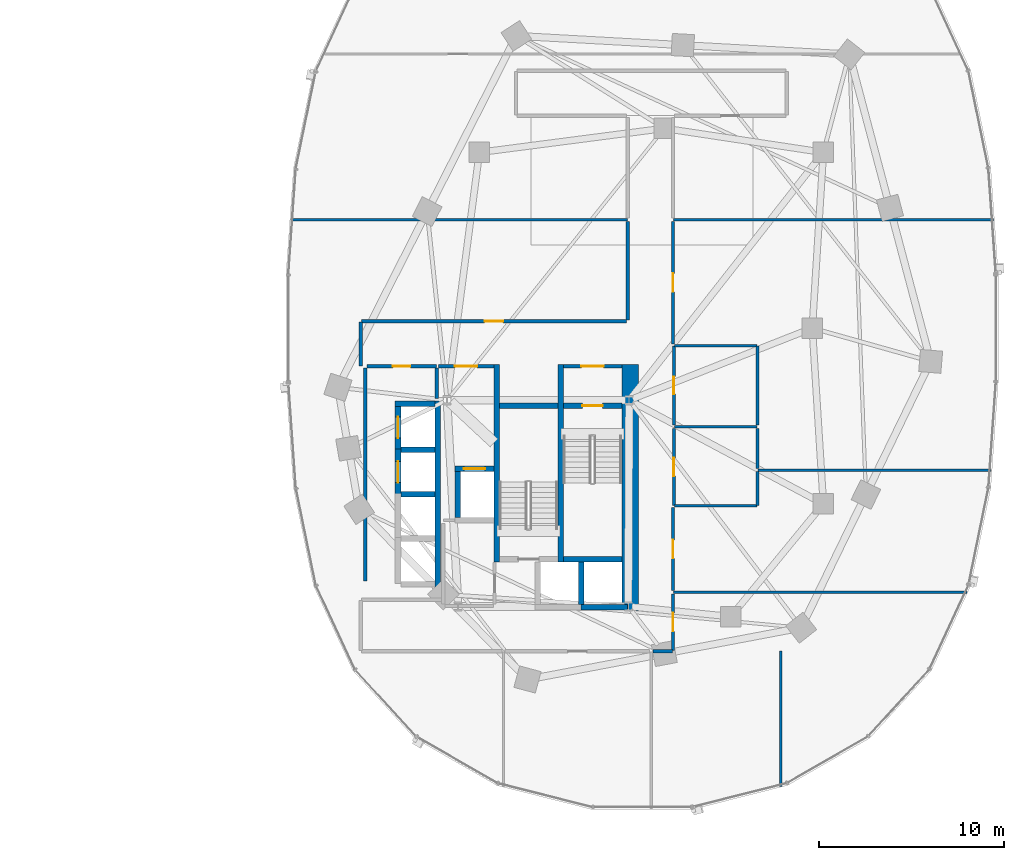
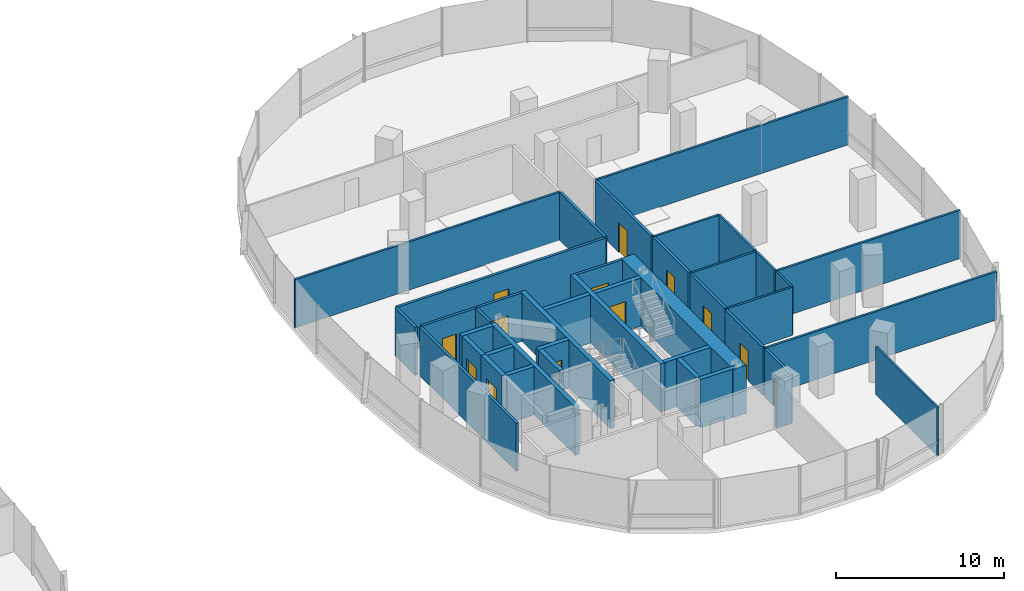
# One storey, part 13 of 21: 41 walls, 13 doors, 13 openings.
"""IFC4 building model written with IfcOpenShell, lengths in metres."""

from ifc_helpers import new_model, si_unit, direction, frame, frame_2d, origin, place, context, subcontext, project, spatial, rectangle, extrude, material, layer, layer_set, type_object, element, fill, save


model = new_model("IFC4")

# Units and contexts
model_context = context("Model", 3, precision=1e-05, world=origin(), true_north=direction((0.0, 1.0)))
body_context = subcontext(model_context, "Body", "Model", "MODEL_VIEW")
ifc_project = project(units=[si_unit("LENGTHUNIT", "METRE"), si_unit("AREAUNIT", "SQUARE_METRE"), si_unit("VOLUMEUNIT", "CUBIC_METRE"), si_unit("PLANEANGLEUNIT", "RADIAN"), si_unit("MASSUNIT", "GRAM", prefix="KILO"), si_unit("THERMODYNAMICTEMPERATUREUNIT", "KELVIN"), si_unit("POWERUNIT", "WATT")], contexts=[model_context])

# Site, building, storey
site_placement = place(None, origin())
site = spatial("IfcSite", under=ifc_project, at=site_placement, CompositionType="ELEMENT")
building_placement = place(site_placement, origin())
building = spatial("IfcBuilding", under=site, at=building_placement, Name="Cundina Bronze Exchange", CompositionType="ELEMENT")
storey_placement = place(building_placement, frame((0.0, 0.0, 58.199951171875)))
storey = spatial("IfcBuildingStorey", under=building, at=storey_placement, Name="L14", CompositionType="ELEMENT", Elevation=58.199951171875)

# Wall
ifc_material_1 = material(Name="Gypsum Fireboard Partition EI120")
ifc_layer_1 = layer(ifc_material_1, 0.179931640625, Name="Gypsum Fireboard Partition EI120")
ifc_layer_set_1 = layer_set([ifc_layer_1], Name="Gypsum Fireboard Partition EI120")
wall_type_1 = type_object("IfcWallType", Name="WL-COR-180", PredefinedType="PARTITIONING", material=ifc_layer_set_1)
wall_1_placement = place(storey_placement, frame((20.889892578125, -3.800048828125, 0.0), z_axis=(0.0, 0.0, 1.0), x_axis=(0.0, 1.0, 0.0)))
element("IfcWall", 1, at=wall_1_placement, inside=storey, type_object=wall_type_1, Name="L14 E Firefighting Lobby Side Wall", PredefinedType="PARTITIONING", context=body_context, shape_type="SweptSolid", body=[
    extrude(rectangle(XDim=1.650146484375, YDim=0.179931640625, at=frame_2d((0.8251953125, 0.0))), origin(), (0.0, 0.0, 1.0), 3.5),
])

# Wall, opening, door
wall_2_placement = place(storey_placement, frame((20.97998046875, -2.06005859375, 0.0), z_axis=(0.0, 0.0, 1.0), x_axis=(1.0, 0.0, 0.0)))
wall_2 = element("IfcWall", 2, at=wall_2_placement, inside=storey, type_object=wall_type_1, Name="L14 E Firefighting Lobby Exit Wall", PredefinedType="PARTITIONING", context=body_context, shape_type="SweptSolid", body=[
    extrude(rectangle(XDim=3.0, YDim=0.179931640625, at=frame_2d((1.5, 0.0))), origin(), (0.0, 0.0, 1.0), 3.5),
])
opening_1_placement = place(wall_2_placement, frame((0.89990234375, 0.0, 0.0)))
opening_1 = element("IfcOpeningElement", 3, at=opening_1_placement, cuts=wall_2, Name="Opening DF-01", PredefinedType="OPENING", context=body_context, shape_type="SweptSolid", body=[
    extrude(rectangle(XDim=1.199951171875, YDim=2.14990234375, at=frame_2d((0.60009765625, 1.074951171875))), frame((0.0, 0.099853515625, 0.0), z_axis=(0.0, -1.0, 0.0), x_axis=(1.0, 0.0, 0.0)), (0.0, 0.0, 1.0), 0.199951171875),
])
ifc_material_2 = material(Name="Steel ASTM A36 Painted", Category="steel")
door_type_1 = type_object("IfcDoorType", Name="DR-FFL-1200", OperationType="NOTDEFINED", PredefinedType="DOOR", material=ifc_material_2)
door_1_placement = place(opening_1_placement, origin())
door_1 = element("IfcDoor", 4, at=door_1_placement, inside=storey, type_object=door_type_1, Name="L14 E Firefighting Lobby Door", OperationType="SINGLE_SWING_LEFT", OverallHeight=2.14990234375, OverallWidth=1.199951171875, PredefinedType="DOOR", context=body_context, shape_type="SweptSolid", body=[
    extrude(rectangle(XDim=1.199951171875, YDim=2.14990234375, at=frame_2d((0.60009765625, 1.074951171875))), frame((0.0, 0.02490234375, 0.0), z_axis=(0.0, -1.0, 0.0), x_axis=(1.0, 0.0, 0.0)), (0.0, 0.0, 1.0), 0.050048828125),
])
fill(opening_1, door_1)

wall_3_placement = place(storey_placement, frame((27.739990234375, -2.06005859375, 0.0), z_axis=(0.0, 0.0, 1.0), x_axis=(1.0, 0.0, 0.0)))
wall_3 = element("IfcWall", 5, at=wall_3_placement, inside=storey, type_object=wall_type_1, Name="L14 E Stair Vestibule Exit Wall", PredefinedType="PARTITIONING", context=body_context, shape_type="SweptSolid", body=[
    extrude(rectangle(XDim=3.159912109375, YDim=0.179931640625, at=frame_2d((1.580078125, 0.0))), origin(), (0.0, 0.0, 1.0), 3.5),
])
opening_2_placement = place(wall_3_placement, frame((0.97998046875, 0.0, 0.0)))
opening_2 = element("IfcOpeningElement", 6, at=opening_2_placement, cuts=wall_3, Name="Opening DF-01", PredefinedType="OPENING", context=body_context, shape_type="SweptSolid", body=[
    extrude(rectangle(XDim=1.199951171875, YDim=2.14990234375, at=frame_2d((0.60009765625, 1.074951171875))), frame((0.0, 0.099853515625, 0.0), z_axis=(0.0, -1.0, 0.0), x_axis=(1.0, 0.0, 0.0)), (0.0, 0.0, 1.0), 0.199951171875),
])
door_2_placement = place(opening_2_placement, origin())
door_2 = element("IfcDoor", 7, at=door_2_placement, inside=storey, type_object=door_type_1, Name="L14 E Stair Vestibule Door", OperationType="SINGLE_SWING_RIGHT", OverallHeight=2.14990234375, OverallWidth=1.199951171875, PredefinedType="DOOR", context=body_context, shape_type="SweptSolid", body=[
    extrude(rectangle(XDim=1.199951171875, YDim=2.14990234375, at=frame_2d((0.60009765625, 1.074951171875))), frame((0.0, 0.02490234375, 0.0), z_axis=(0.0, -1.0, 0.0), x_axis=(1.0, 0.0, 0.0)), (0.0, 0.0, 1.0), 0.050048828125),
])
fill(opening_2, door_2)

# Wall
wall_4_placement = place(storey_placement, frame((17.02001953125, -13.679931640625, 0.0), z_axis=(0.0, 0.0, 1.0), x_axis=(0.0, 1.0, 0.0)))
element("IfcWall", 8, at=wall_4_placement, inside=storey, type_object=wall_type_1, Name="L14 Interior Partition 039", PredefinedType="PARTITIONING", context=body_context, shape_type="SweptSolid", body=[
    extrude(rectangle(XDim=11.510009765625, YDim=0.179931640625, at=frame_2d((5.7548828125, 0.0))), origin(), (0.0, 0.0, 1.0), 3.5),
])

# Wall, opening, door
wall_5_placement = place(storey_placement, frame((17.1201171875, -2.070068359375, 0.0), z_axis=(0.0, 0.0, 1.0), x_axis=(1.0, 0.0, 0.0)))
wall_5 = element("IfcWall", 9, at=wall_5_placement, inside=storey, type_object=wall_type_1, Name="L14 Interior Partition 040", PredefinedType="PARTITIONING", context=body_context, shape_type="SweptSolid", body=[
    extrude(rectangle(XDim=3.75, YDim=0.179931640625, at=frame_2d((1.875, 0.0))), origin(), (0.0, 0.0, 1.0), 3.5),
])
opening_3_placement = place(wall_5_placement, frame((1.39990234375, 0.0, 0.0)))
opening_3 = element("IfcOpeningElement", 10, at=opening_3_placement, cuts=wall_5, Name="Opening DW-01", PredefinedType="OPENING", context=body_context, shape_type="SweptSolid", body=[
    extrude(rectangle(XDim=0.949951171875, YDim=2.10009765625, at=frame_2d((0.47509765625, 1.050048828125))), frame((0.0, 0.099853515625, 0.0), z_axis=(0.0, -1.0, 0.0), x_axis=(1.0, 0.0, 0.0)), (0.0, 0.0, 1.0), 0.199951171875),
])
ifc_material_3 = material(Name="Solid Andean Oak Timber Grade A", Category="wood")
door_type_2 = type_object("IfcDoorType", Name="DR-WC-950", OperationType="NOTDEFINED", PredefinedType="DOOR", material=ifc_material_3)
door_3_placement = place(opening_3_placement, origin())
door_3 = element("IfcDoor", 11, at=door_3_placement, inside=storey, type_object=door_type_2, Name="L14 Interior Door 040", OperationType="SINGLE_SWING_LEFT", OverallHeight=2.10009765625, OverallWidth=0.949951171875, PredefinedType="DOOR", context=body_context, shape_type="SweptSolid", body=[
    extrude(rectangle(XDim=0.949951171875, YDim=2.10009765625, at=frame_2d((0.47509765625, 1.050048828125))), frame((0.0, 0.02490234375, 0.0), z_axis=(0.0, -1.0, 0.0), x_axis=(1.0, 0.0, 0.0)), (0.0, 0.0, 1.0), 0.050048828125),
])
fill(opening_3, door_3)

wall_6_placement = place(storey_placement, frame((33.719970703125, -5.22998046875, 0.0), z_axis=(0.0, 0.0, 1.0), x_axis=(0.0, 1.0, 0.0)))
wall_6 = element("IfcWall", 12, at=wall_6_placement, inside=storey, type_object=wall_type_1, Name="L14 Interior Partition 051", PredefinedType="PARTITIONING", context=body_context, shape_type="SweptSolid", body=[
    extrude(rectangle(XDim=4.260009765625, YDim=0.179931640625, at=frame_2d((2.1298828125, 0.0))), origin(), (0.0, 0.0, 1.0), 3.5),
])
opening_4_placement = place(wall_6_placement, frame((1.655029296875, 0.0, 0.0)))
opening_4 = element("IfcOpeningElement", 13, at=opening_4_placement, cuts=wall_6, Name="Opening DW-01", PredefinedType="OPENING", context=body_context, shape_type="SweptSolid", body=[
    extrude(rectangle(XDim=0.949951171875, YDim=2.10009765625, at=frame_2d((0.47509765625, 1.050048828125))), frame((0.0, 0.099853515625, 0.0), z_axis=(0.0, -1.0, 0.0), x_axis=(1.0, 0.0, 0.0)), (0.0, 0.0, 1.0), 0.199951171875),
])
door_4_placement = place(opening_4_placement, origin())
door_4 = element("IfcDoor", 14, at=door_4_placement, inside=storey, type_object=door_type_2, Name="L14 Interior Door 051", OperationType="SINGLE_SWING_LEFT", OverallHeight=2.10009765625, OverallWidth=0.949951171875, PredefinedType="DOOR", context=body_context, shape_type="SweptSolid", body=[
    extrude(rectangle(XDim=0.949951171875, YDim=2.10009765625, at=frame_2d((0.47509765625, 1.050048828125))), frame((0.0, 0.02490234375, 0.0), z_axis=(0.0, -1.0, 0.0), x_axis=(1.0, 0.0, 0.0)), (0.0, 0.0, 1.0), 0.050048828125),
])
fill(opening_4, door_4)

wall_7_placement = place(storey_placement, frame((33.719970703125, -9.590087890625, 0.0), z_axis=(0.0, 0.0, 1.0), x_axis=(0.0, 1.0, 0.0)))
wall_7 = element("IfcWall", 15, at=wall_7_placement, inside=storey, type_object=wall_type_1, Name="L14 Interior Partition 052", PredefinedType="PARTITIONING", context=body_context, shape_type="SweptSolid", body=[
    extrude(rectangle(XDim=4.16015625, YDim=0.179931640625, at=frame_2d((2.080078125, 0.0))), origin(), (0.0, 0.0, 1.0), 3.5),
])
opening_5_placement = place(wall_7_placement, frame((1.580078125, 0.0, 0.0)))
opening_5 = element("IfcOpeningElement", 16, at=opening_5_placement, cuts=wall_7, Name="Opening DO-01", PredefinedType="OPENING", context=body_context, shape_type="SweptSolid", body=[
    extrude(rectangle(XDim=1.0, YDim=2.14990234375, at=frame_2d((0.5, 1.074951171875))), frame((0.0, 0.099853515625, 0.0), z_axis=(0.0, -1.0, 0.0), x_axis=(1.0, 0.0, 0.0)), (0.0, 0.0, 1.0), 0.199951171875),
])
door_type_3 = type_object("IfcDoorType", Name="DR-OFF-1000", OperationType="NOTDEFINED", PredefinedType="DOOR", material=ifc_material_3)
door_5_placement = place(opening_5_placement, origin())
door_5 = element("IfcDoor", 17, at=door_5_placement, inside=storey, type_object=door_type_3, Name="L14 Interior Door 052", OperationType="SINGLE_SWING_LEFT", OverallHeight=2.14990234375, OverallWidth=1.0, PredefinedType="DOOR", context=body_context, shape_type="SweptSolid", body=[
    extrude(rectangle(XDim=1.0, YDim=2.14990234375, at=frame_2d((0.5, 1.074951171875))), frame((0.0, 0.02490234375, 0.0), z_axis=(0.0, -1.0, 0.0), x_axis=(1.0, 0.0, 0.0)), (0.0, 0.0, 1.0), 0.050048828125),
])
fill(opening_5, door_5)

wall_8_placement = place(storey_placement, frame((33.669921875, -17.428466796875, 0.0), z_axis=(0.0, 0.0, 1.0), x_axis=(0.0, 1.0, 0.0)))
wall_8 = element("IfcWall", 18, at=wall_8_placement, inside=storey, type_object=wall_type_1, Name="L14 Interior Partition 061", PredefinedType="PARTITIONING", context=body_context, shape_type="SweptSolid", body=[
    extrude(rectangle(XDim=3.058349609375, YDim=0.179931640625, at=frame_2d((1.529296875, 0.0))), origin(), (0.0, 0.0, 1.0), 3.5),
])
opening_6_placement = place(wall_8_placement, frame((1.029296875, 0.0, 0.0)))
opening_6 = element("IfcOpeningElement", 19, at=opening_6_placement, cuts=wall_8, Name="Opening DO-01", PredefinedType="OPENING", context=body_context, shape_type="SweptSolid", body=[
    extrude(rectangle(XDim=1.0, YDim=2.14990234375, at=frame_2d((0.5, 1.074951171875))), frame((0.0, 0.099853515625, 0.0), z_axis=(0.0, -1.0, 0.0), x_axis=(1.0, 0.0, 0.0)), (0.0, 0.0, 1.0), 0.199951171875),
])
door_6_placement = place(opening_6_placement, origin())
door_6 = element("IfcDoor", 20, at=door_6_placement, inside=storey, type_object=door_type_3, Name="L14 Interior Door 061", OperationType="SINGLE_SWING_RIGHT", OverallHeight=2.14990234375, OverallWidth=1.0, PredefinedType="DOOR", context=body_context, shape_type="SweptSolid", body=[
    extrude(rectangle(XDim=1.0, YDim=2.14990234375, at=frame_2d((0.5, 1.074951171875))), frame((0.0, 0.02490234375, 0.0), z_axis=(0.0, -1.0, 0.0), x_axis=(1.0, 0.0, 0.0)), (0.0, 0.0, 1.0), 0.050048828125),
])
fill(opening_6, door_6)

# Wall
wall_9_placement = place(storey_placement, frame((32.590087890625, -17.469970703125, 0.0), z_axis=(0.0, 0.0, 1.0), x_axis=(1.0, 0.0, 0.0)))
element("IfcWall", 21, at=wall_9_placement, inside=storey, type_object=wall_type_1, Name="L14 Interior Partition 062", PredefinedType="PARTITIONING", context=body_context, shape_type="SweptSolid", body=[
    extrude(rectangle(XDim=1.038330078125, YDim=0.179931640625, at=frame_2d((0.51904296875, 0.0))), origin(), (0.0, 0.0, 1.0), 3.5),
])

# Wall, opening, door
wall_10_placement = place(storey_placement, frame((33.669921875, -14.18994140625, 0.0), z_axis=(0.0, 0.0, 1.0), x_axis=(0.0, 1.0, 0.0)))
wall_10 = element("IfcWall", 22, at=wall_10_placement, inside=storey, type_object=wall_type_1, Name="L14 Interior Partition 063", PredefinedType="PARTITIONING", context=body_context, shape_type="SweptSolid", body=[
    extrude(rectangle(XDim=4.488525390625, YDim=0.179931640625, at=frame_2d((2.244140625, 0.0))), origin(), (0.0, 0.0, 1.0), 3.5),
])
opening_7_placement = place(wall_10_placement, frame((1.744384765625, 0.0, 0.0)))
opening_7 = element("IfcOpeningElement", 23, at=opening_7_placement, cuts=wall_10, Name="Opening DO-01", PredefinedType="OPENING", context=body_context, shape_type="SweptSolid", body=[
    extrude(rectangle(XDim=1.0, YDim=2.14990234375, at=frame_2d((0.5, 1.074951171875))), frame((0.0, 0.099853515625, 0.0), z_axis=(0.0, -1.0, 0.0), x_axis=(1.0, 0.0, 0.0)), (0.0, 0.0, 1.0), 0.199951171875),
])
door_7_placement = place(opening_7_placement, origin())
door_7 = element("IfcDoor", 24, at=door_7_placement, inside=storey, type_object=door_type_3, Name="L14 Interior Door 063", OperationType="SINGLE_SWING_LEFT", OverallHeight=2.14990234375, OverallWidth=1.0, PredefinedType="DOOR", context=body_context, shape_type="SweptSolid", body=[
    extrude(rectangle(XDim=1.0, YDim=2.14990234375, at=frame_2d((0.5, 1.074951171875))), frame((0.0, 0.02490234375, 0.0), z_axis=(0.0, -1.0, 0.0), x_axis=(1.0, 0.0, 0.0)), (0.0, 0.0, 1.0), 0.050048828125),
])
fill(opening_7, door_7)

wall_11_placement = place(storey_placement, frame((31.14990234375, 0.3701171875, 0.0), z_axis=(0.0, 0.0, 1.0), x_axis=(-1.0, 0.0, 0.0)))
wall_11 = element("IfcWall", 25, at=wall_11_placement, inside=storey, type_object=wall_type_1, Name="L14 Interior Partition 064", PredefinedType="PARTITIONING", context=body_context, shape_type="SweptSolid", body=[
    extrude(rectangle(XDim=14.328369140625, YDim=0.179931640625, at=frame_2d((7.1640625, 0.0))), origin(), (0.0, 0.0, 1.0), 3.5),
])
opening_8_placement = place(wall_11_placement, frame((6.664306640625, 0.0, 0.0)))
opening_8 = element("IfcOpeningElement", 26, at=opening_8_placement, cuts=wall_11, Name="Opening DO-01", PredefinedType="OPENING", context=body_context, shape_type="SweptSolid", body=[
    extrude(rectangle(XDim=1.0, YDim=2.14990234375, at=frame_2d((0.5, 1.074951171875))), frame((0.0, 0.099853515625, 0.0), z_axis=(0.0, -1.0, 0.0), x_axis=(1.0, 0.0, 0.0)), (0.0, 0.0, 1.0), 0.199951171875),
])
door_8_placement = place(opening_8_placement, origin())
door_8 = element("IfcDoor", 27, at=door_8_placement, inside=storey, type_object=door_type_3, Name="L14 Interior Door 064", OperationType="SINGLE_SWING_LEFT", OverallHeight=2.14990234375, OverallWidth=1.0, PredefinedType="DOOR", context=body_context, shape_type="SweptSolid", body=[
    extrude(rectangle(XDim=1.0, YDim=2.14990234375, at=frame_2d((0.5, 1.074951171875))), frame((0.0, 0.02490234375, 0.0), z_axis=(0.0, -1.0, 0.0), x_axis=(1.0, 0.0, 0.0)), (0.0, 0.0, 1.0), 0.050048828125),
])
fill(opening_8, door_8)

# Walls
wall_12_placement = place(storey_placement, frame((31.22998046875, 5.77001953125, 0.0), z_axis=(0.0, 0.0, 1.0), x_axis=(0.0, -1.0, 0.0)))
element("IfcWall", 28, at=wall_12_placement, inside=storey, type_object=wall_type_1, Name="L14 Interior Partition 066", PredefinedType="PARTITIONING", context=body_context, shape_type="SweptSolid", body=[
    extrude(rectangle(XDim=5.320068359375, YDim=0.179931640625, at=frame_2d((2.66015625, 0.0))), origin(), (0.0, 0.0, 1.0), 3.5),
])
wall_13_placement = place(storey_placement, frame((16.780029296875, 0.32861328125, 0.0), z_axis=(0.0, 0.0, 1.0), x_axis=(0.0, -1.0, 0.0)))
element("IfcWall", 29, at=wall_13_placement, inside=storey, type_object=wall_type_1, Name="L14 Interior Partition 069", PredefinedType="PARTITIONING", context=body_context, shape_type="SweptSolid", body=[
    extrude(rectangle(XDim=2.38720703125, YDim=0.179931640625, at=frame_2d((1.193603515625, 0.0))), origin(), (0.0, 0.0, 1.0), 3.5),
])

# Wall, opening, door
wall_14_placement = place(storey_placement, frame((33.669921875, -0.858642578125, 0.0), z_axis=(0.0, 0.0, 1.0), x_axis=(0.0, 1.0, 0.0)))
wall_14 = element("IfcWall", 30, at=wall_14_placement, inside=storey, type_object=wall_type_1, Name="L14 Interior Partition 070", PredefinedType="PARTITIONING", context=body_context, shape_type="SweptSolid", body=[
    extrude(rectangle(XDim=6.628662109375, YDim=0.179931640625, at=frame_2d((3.314453125, 0.0))), origin(), (0.0, 0.0, 1.0), 3.5),
])
opening_9_placement = place(wall_14_placement, frame((2.814208984375, 0.0, 0.0)))
opening_9 = element("IfcOpeningElement", 31, at=opening_9_placement, cuts=wall_14, Name="Opening DO-01", PredefinedType="OPENING", context=body_context, shape_type="SweptSolid", body=[
    extrude(rectangle(XDim=1.0, YDim=2.14990234375, at=frame_2d((0.5, 1.074951171875))), frame((0.0, 0.099853515625, 0.0), z_axis=(0.0, -1.0, 0.0), x_axis=(1.0, 0.0, 0.0)), (0.0, 0.0, 1.0), 0.199951171875),
])
door_9_placement = place(opening_9_placement, origin())
door_9 = element("IfcDoor", 32, at=door_9_placement, inside=storey, type_object=door_type_3, Name="L14 Interior Door 070", OperationType="SINGLE_SWING_LEFT", OverallHeight=2.14990234375, OverallWidth=1.0, PredefinedType="DOOR", context=body_context, shape_type="SweptSolid", body=[
    extrude(rectangle(XDim=1.0, YDim=2.14990234375, at=frame_2d((0.5, 1.074951171875))), frame((0.0, 0.02490234375, 0.0), z_axis=(0.0, -1.0, 0.0), x_axis=(1.0, 0.0, 0.0)), (0.0, 0.0, 1.0), 0.050048828125),
])
fill(opening_9, door_9)

# Walls
ifc_material_4 = material(Name="Concrete C60/75", Category="concrete")
ifc_layer_2 = layer(ifc_material_4, 0.89990234375, Name="Concrete C60/75", Category="concrete")
ifc_layer_set_2 = layer_set([ifc_layer_2], Name="Concrete C60/75")
wall_type_2 = type_object("IfcWallType", Name="WL-CORE-900", PredefinedType="SHEAR", material=ifc_layer_set_2)
wall_15_placement = place(storey_placement, frame((31.35009765625, -15.300048828125, 0.0), z_axis=(0.0, 0.0, 1.0), x_axis=(0.0, 1.0, 0.0)))
element("IfcWall", 33, at=wall_15_placement, inside=storey, type_object=wall_type_2, Name="L14 E Primary Core Shear Spine Wall", PredefinedType="SHEAR", context=body_context, shape_type="SweptSolid", body=[
    extrude(rectangle(XDim=13.330078125, YDim=0.89990234375, at=frame_2d((6.6650390625, 0.0))), origin(), (0.0, 0.0, 1.0), 3.5),
])
ifc_material_5 = material(Name="Gypsum Acoustic Partition EI60")
ifc_layer_3 = layer(ifc_material_5, 0.125, Name="Gypsum Acoustic Partition EI60")
ifc_layer_set_3 = layer_set([ifc_layer_3], Name="Gypsum Acoustic Partition EI60")
wall_type_3 = type_object("IfcWallType", Name="WL-OFF-125", PredefinedType="PARTITIONING", material=ifc_layer_set_3)
wall_16_placement = place(storey_placement, frame((39.5, -24.772216796875, 0.0), z_axis=(0.0, 0.0, 1.0), x_axis=(0.0, 1.0, 0.0)))
element("IfcWall", 34, at=wall_16_placement, inside=storey, type_object=wall_type_3, Name="L14 Interior Partition 059", PredefinedType="PARTITIONING", context=body_context, shape_type="SweptSolid", body=[
    extrude(rectangle(XDim=7.30224609375, YDim=0.125, at=frame_2d((3.651123046875, 0.0))), origin(), (0.0, 0.0, 1.0), 3.5),
])
ifc_material_6 = material(Name="Concrete C50/60", Category="concrete")
ifc_layer_4 = layer(ifc_material_6, 0.300048828125, Name="Concrete C50/60", Category="concrete")
ifc_layer_set_4 = layer_set([ifc_layer_4], Name="Concrete C50/60")
wall_type_4 = type_object("IfcWallType", Name="WL-SHFT-300", PredefinedType="SHEAR", material=ifc_layer_set_4)
for number, where, z_axis, x_axis, name in (
    (35, (27.590087890625, -12.64990234375, 0.0), (0.0, 0.0, 1.0), (0.0, 1.0, 0.0), "L14 E Stair Shaft Dividing Shear Wall"),
    (36, (24.1298828125, -12.64990234375, 0.0), (0.0, 0.0, 1.0), (0.0, 1.0, 0.0), "L14 E Stair 2 East Shear Wall"),
):
    element("IfcWall", number, at=place(storey_placement, frame(where, z_axis=z_axis, x_axis=x_axis)), inside=storey, type_object=wall_type_4, Name=name, PredefinedType="SHEAR", context=body_context, shape_type="SweptSolid", body=[
        extrude(rectangle(XDim=10.679931640625, YDim=0.300048828125, at=frame_2d((5.33984375, 0.0))), origin(), (0.0, 0.0, 1.0), 3.5),
    ])

# Wall, opening, door
wall_17_placement = place(storey_placement, frame((27.739990234375, -4.199951171875, 0.0), z_axis=(0.0, 0.0, 1.0), x_axis=(1.0, 0.0, 0.0)))
wall_17 = element("IfcWall", 37, at=wall_17_placement, inside=storey, type_object=wall_type_4, Name="L14 Stair E1 Landing Wall", PredefinedType="SHEAR", context=body_context, shape_type="SweptSolid", body=[
    extrude(rectangle(XDim=3.159912109375, YDim=0.300048828125, at=frame_2d((1.580078125, 0.0))), origin(), (0.0, 0.0, 1.0), 3.5),
])
opening_10_placement = place(wall_17_placement, frame((1.030029296875, 0.0, 0.0)))
opening_10 = element("IfcOpeningElement", 38, at=opening_10_placement, cuts=wall_17, Name="Opening DS-01", PredefinedType="OPENING", context=body_context, shape_type="SweptSolid", body=[
    extrude(rectangle(XDim=1.10009765625, YDim=2.14990234375, at=frame_2d((0.550048828125, 1.074951171875))), frame((0.0, 0.159912109375, 0.0), z_axis=(0.0, -1.0, 0.0), x_axis=(1.0, 0.0, 0.0)), (0.0, 0.0, 1.0), 0.320068359375),
])
door_type_4 = type_object("IfcDoorType", Name="DR-STR-1100", OperationType="NOTDEFINED", PredefinedType="DOOR", material=ifc_material_2)
door_10_placement = place(opening_10_placement, origin())
door_10 = element("IfcDoor", 39, at=door_10_placement, inside=storey, type_object=door_type_4, Name="L14 Smokeproof Stair E1 Door", OperationType="SINGLE_SWING_LEFT", OverallHeight=2.14990234375, OverallWidth=1.10009765625, PredefinedType="DOOR", context=body_context, shape_type="SweptSolid", body=[
    extrude(rectangle(XDim=1.10009765625, YDim=2.14990234375, at=frame_2d((0.550048828125, 1.074951171875))), frame((0.0, 0.02490234375, 0.0), z_axis=(0.0, -1.0, 0.0), x_axis=(1.0, 0.0, 0.0)), (0.0, 0.0, 1.0), 0.050048828125),
])
fill(opening_10, door_10)

# Walls
for number, where, z_axis, x_axis, name in (
    (40, (27.739990234375, -12.5, 0.0), (0.0, 0.0, 1.0), (1.0, 0.0, 0.0), "L14 Stair E1 Far Shaft Wall"),
    (41, (24.280029296875, -4.199951171875, 0.0), (0.0, 0.0, 1.0), (1.0, 0.0, 0.0), "L14 Stair E2 Far Shaft Wall"),
):
    element("IfcWall", number, at=place(storey_placement, frame(where, z_axis=z_axis, x_axis=x_axis)), inside=storey, type_object=wall_type_4, Name=name, PredefinedType="SHEAR", context=body_context, shape_type="SweptSolid", body=[
        extrude(rectangle(XDim=3.159912109375, YDim=0.300048828125, at=frame_2d((1.580078125, 0.0))), origin(), (0.0, 0.0, 1.0), 3.5),
    ])

# Wall, opening, door
wall_18_placement = place(storey_placement, frame((21.8798828125, -7.60009765625, 0.0), z_axis=(0.0, 0.0, 1.0), x_axis=(1.0, 0.0, 0.0)))
wall_18 = element("IfcWall", 42, at=wall_18_placement, inside=storey, type_object=wall_type_4, Name="L14 FFL-E Hoistway Front Wall", PredefinedType="SHEAR", context=body_context, shape_type="SweptSolid", body=[
    extrude(rectangle(XDim=2.10009765625, YDim=0.300048828125, at=frame_2d((1.050048828125, 0.0))), origin(), (0.0, 0.0, 1.0), 3.5),
])
opening_11_placement = place(wall_18_placement, frame((0.47509765625, 0.0, 0.0)))
opening_11 = element("IfcOpeningElement", 43, at=opening_11_placement, cuts=wall_18, Name="Opening LD-01", PredefinedType="OPENING", context=body_context, shape_type="SweptSolid", body=[
    extrude(rectangle(XDim=1.14990234375, YDim=2.199951171875, at=frame_2d((0.574951171875, 1.10009765625))), frame((0.0, 0.159912109375, 0.0), z_axis=(0.0, -1.0, 0.0), x_axis=(1.0, 0.0, 0.0)), (0.0, 0.0, 1.0), 0.320068359375),
])
door_type_5 = type_object("IfcDoorType", Name="DR-LND-1150", OperationType="NOTDEFINED", PredefinedType="TRAPDOOR", material=ifc_material_2)
door_11_placement = place(opening_11_placement, origin())
door_11 = element("IfcDoor", 44, at=door_11_placement, inside=storey, type_object=door_type_5, Name="L14 FFL-E Sliding Landing Door", OperationType="SLIDING_TO_LEFT", OverallHeight=2.199951171875, OverallWidth=1.14990234375, PredefinedType="TRAPDOOR", context=body_context, shape_type="SweptSolid", body=[
    extrude(rectangle(XDim=1.14990234375, YDim=2.199951171875, at=frame_2d((0.574951171875, 1.10009765625))), frame((0.0, 0.02490234375, 0.0), z_axis=(0.0, -1.0, 0.0), x_axis=(1.0, 0.0, 0.0)), (0.0, 0.0, 1.0), 0.050048828125),
])
fill(opening_11, door_11)

# Walls
for number, where, z_axis, x_axis, name in (
    (45, (22.030029296875, -10.25, 0.0), (0.0, 0.0, 1.0), (0.0, 1.0, 0.0), "L14 FFL-E Hoistway Side Wall"),
    (46, (28.699951171875, -15.10009765625, 0.0), (0.0, 0.0, 1.0), (1.0, 0.0, 0.0), "L14 PH-E1 Hoistway Front Wall"),
):
    element("IfcWall", number, at=place(storey_placement, frame(where, z_axis=z_axis, x_axis=x_axis)), inside=storey, type_object=wall_type_4, Name=name, PredefinedType="SHEAR", context=body_context, shape_type="SweptSolid", body=[
        extrude(rectangle(XDim=2.5, YDim=0.300048828125, at=frame_2d((1.25, 0.0))), origin(), (0.0, 0.0, 1.0), 3.5),
    ])
wall_19_placement = place(storey_placement, frame((28.699951171875, -14.949951171875, 0.0), z_axis=(0.0, 0.0, 1.0), x_axis=(0.0, 1.0, 0.0)))
element("IfcWall", 47, at=wall_19_placement, inside=storey, type_object=wall_type_4, Name="L14 PH-E1 Hoistway Divider Wall", PredefinedType="SHEAR", context=body_context, shape_type="SweptSolid", body=[
    extrude(rectangle(XDim=2.300048828125, YDim=0.300048828125, at=frame_2d((1.14990234375, 0.0))), origin(), (0.0, 0.0, 1.0), 3.5),
])
wall_20_placement = place(storey_placement, frame((20.949951171875, -14.0, 0.0), z_axis=(0.0, 0.0, 1.0), x_axis=(0.0, 1.0, 0.0)))
element("IfcWall", 48, at=wall_20_placement, inside=storey, type_object=wall_type_4, Name="L14 E Passenger Bank Hoistway Back Wall", PredefinedType="SHEAR", context=body_context, shape_type="SweptSolid", body=[
    extrude(rectangle(XDim=10.050048828125, YDim=0.300048828125, at=frame_2d((5.02490234375, 0.0))), origin(), (0.0, 0.0, 1.0), 3.5),
])
wall_21_placement = place(storey_placement, frame((18.64990234375, -4.10009765625, 0.0), z_axis=(0.0, 0.0, 1.0), x_axis=(1.0, 0.0, 0.0)))
element("IfcWall", 49, at=wall_21_placement, inside=storey, type_object=wall_type_4, Name="L14 E Passenger Bank North Cap Wall", PredefinedType="SHEAR", context=body_context, shape_type="SweptSolid", body=[
    extrude(rectangle(XDim=2.150146484375, YDim=0.300048828125, at=frame_2d((1.0751953125, 0.0))), origin(), (0.0, 0.0, 1.0), 3.5),
])
for number, where, z_axis, x_axis, name in (
    (50, (18.949951171875, -8.97509765625, 0.0), (0.0, 0.0, 1.0), (1.0, 0.0, 0.0), "L14 E Passenger Hoistway Divider 2"),
    (51, (18.949951171875, -6.574951171875, 0.0), (0.0, 0.0, 1.0), (1.0, 0.0, 0.0), "L14 E Passenger Hoistway Divider 3"),
):
    element("IfcWall", number, at=place(storey_placement, frame(where, z_axis=z_axis, x_axis=x_axis)), inside=storey, type_object=wall_type_4, Name=name, PredefinedType="SHEAR", context=body_context, shape_type="SweptSolid", body=[
        extrude(rectangle(XDim=1.85009765625, YDim=0.300048828125, at=frame_2d((0.925048828125, 0.0))), origin(), (0.0, 0.0, 1.0), 3.5),
    ])

# Wall, opening, door
wall_22_placement = place(storey_placement, frame((18.800048828125, -9.02001953125, 0.0), z_axis=(0.0, 0.0, 1.0), x_axis=(0.0, 1.0, 0.0)))
wall_22 = element("IfcWall", 52, at=wall_22_placement, inside=storey, type_object=wall_type_4, Name="L14 PL-E1 Hoistway Front Wall", PredefinedType="SHEAR", context=body_context, shape_type="SweptSolid", body=[
    extrude(rectangle(XDim=2.489990234375, YDim=0.300048828125, at=frame_2d((1.2451171875, 0.0))), origin(), (0.0, 0.0, 1.0), 3.5),
])
opening_12_placement = place(wall_22_placement, frame((0.669921875, 0.0, 0.0)))
opening_12 = element("IfcOpeningElement", 53, at=opening_12_placement, cuts=wall_22, Name="Opening LD-01", PredefinedType="OPENING", context=body_context, shape_type="SweptSolid", body=[
    extrude(rectangle(XDim=1.14990234375, YDim=2.199951171875, at=frame_2d((0.574951171875, 1.10009765625))), frame((0.0, 0.159912109375, 0.0), z_axis=(0.0, -1.0, 0.0), x_axis=(1.0, 0.0, 0.0)), (0.0, 0.0, 1.0), 0.320068359375),
])
door_12_placement = place(opening_12_placement, origin())
door_12 = element("IfcDoor", 54, at=door_12_placement, inside=storey, type_object=door_type_5, Name="L14 PL-E1 Sliding Landing Door", OperationType="SLIDING_TO_LEFT", OverallHeight=2.199951171875, OverallWidth=1.14990234375, PredefinedType="TRAPDOOR", context=body_context, shape_type="SweptSolid", body=[
    extrude(rectangle(XDim=1.14990234375, YDim=2.199951171875, at=frame_2d((0.574951171875, 1.10009765625))), frame((0.0, 0.02490234375, 0.0), z_axis=(0.0, -1.0, 0.0), x_axis=(1.0, 0.0, 0.0)), (0.0, 0.0, 1.0), 0.050048828125),
])
fill(opening_12, door_12)

wall_23_placement = place(storey_placement, frame((18.800048828125, -6.6201171875, 0.0), z_axis=(0.0, 0.0, 1.0), x_axis=(0.0, 1.0, 0.0)))
wall_23 = element("IfcWall", 55, at=wall_23_placement, inside=storey, type_object=wall_type_4, Name="L14 PL-E2 Hoistway Front Wall", PredefinedType="SHEAR", context=body_context, shape_type="SweptSolid", body=[
    extrude(rectangle(XDim=2.490234375, YDim=0.300048828125, at=frame_2d((1.2451171875, 0.0))), origin(), (0.0, 0.0, 1.0), 3.5),
])
opening_13_placement = place(wall_23_placement, frame((0.669921875, 0.0, 0.0)))
opening_13 = element("IfcOpeningElement", 56, at=opening_13_placement, cuts=wall_23, Name="Opening LD-01", PredefinedType="OPENING", context=body_context, shape_type="SweptSolid", body=[
    extrude(rectangle(XDim=1.14990234375, YDim=2.199951171875, at=frame_2d((0.574951171875, 1.10009765625))), frame((0.0, 0.159912109375, 0.0), z_axis=(0.0, -1.0, 0.0), x_axis=(1.0, 0.0, 0.0)), (0.0, 0.0, 1.0), 0.320068359375),
])
door_13_placement = place(opening_13_placement, origin())
door_13 = element("IfcDoor", 57, at=door_13_placement, inside=storey, type_object=door_type_5, Name="L14 PL-E2 Sliding Landing Door", OperationType="SLIDING_TO_LEFT", OverallHeight=2.199951171875, OverallWidth=1.14990234375, PredefinedType="TRAPDOOR", context=body_context, shape_type="SweptSolid", body=[
    extrude(rectangle(XDim=1.14990234375, YDim=2.199951171875, at=frame_2d((0.574951171875, 1.10009765625))), frame((0.0, 0.02490234375, 0.0), z_axis=(0.0, -1.0, 0.0), x_axis=(1.0, 0.0, 0.0)), (0.0, 0.0, 1.0), 0.050048828125),
])
fill(opening_13, door_13)

# Walls
ifc_layer_5 = layer(ifc_material_5, 0.14990234375, Name="Gypsum Acoustic Partition EI60")
ifc_layer_set_5 = layer_set([ifc_layer_5], Name="Gypsum Acoustic Partition EI60")
wall_type_5 = type_object("IfcWallType", Name="WL-TEN-150", PredefinedType="PARTITIONING", material=ifc_layer_set_5)
wall_24_placement = place(storey_placement, frame((12.998291015625, 5.860107421875, 0.0), z_axis=(0.0, 0.0, 1.0), x_axis=(1.0, 0.0, 0.0)))
element("IfcWall", 58, at=wall_24_placement, inside=storey, type_object=wall_type_5, Name="L14 Interior Partition 053", PredefinedType="PARTITIONING", context=body_context, shape_type="SweptSolid", body=[
    extrude(rectangle(XDim=18.20166015625, YDim=0.14990234375, at=frame_2d((9.100830078125, 0.0))), origin(), (0.0, 0.0, 1.0), 3.5),
])
wall_25_placement = place(storey_placement, frame((33.699951171875, 5.860107421875, 0.0), z_axis=(0.0, 0.0, 1.0), x_axis=(1.0, 0.0, 0.0)))
element("IfcWall", 59, at=wall_25_placement, inside=storey, type_object=wall_type_5, Name="L14 Interior Partition 054", PredefinedType="PARTITIONING", context=body_context, shape_type="SweptSolid", body=[
    extrude(rectangle(XDim=17.3017578125, YDim=0.14990234375, at=frame_2d((8.65087890625, 0.0))), origin(), (0.0, 0.0, 1.0), 3.5),
])
wall_26_placement = place(storey_placement, frame((38.27001953125, -7.679931640625, 0.0), z_axis=(0.0, 0.0, 1.0), x_axis=(1.0, 0.0, 0.0)))
element("IfcWall", 60, at=wall_26_placement, inside=storey, type_object=wall_type_5, Name="L14 Interior Partition 055", PredefinedType="PARTITIONING", context=body_context, shape_type="SweptSolid", body=[
    extrude(rectangle(XDim=12.603515625, YDim=0.14990234375, at=frame_2d((6.3017578125, 0.0))), origin(), (0.0, 0.0, 1.0), 3.5),
])
wall_27_placement = place(storey_placement, frame((33.699951171875, -14.280029296875, 0.0), z_axis=(0.0, 0.0, 1.0), x_axis=(1.0, 0.0, 0.0)))
element("IfcWall", 61, at=wall_27_placement, inside=storey, type_object=wall_type_5, Name="L14 Interior Partition 056", PredefinedType="PARTITIONING", context=body_context, shape_type="SweptSolid", body=[
    extrude(rectangle(XDim=15.856689453125, YDim=0.14990234375, at=frame_2d((7.92822265625, 0.0))), origin(), (0.0, 0.0, 1.0), 3.5),
])
ifc_material_7 = material(Name="Moisture-Resistant Masonry Block Grade M15", Category="masonry")
ifc_layer_6 = layer(ifc_material_7, 0.139892578125, Name="Moisture-Resistant Masonry Block Grade M15", Category="masonry")
ifc_layer_set_6 = layer_set([ifc_layer_6], Name="Moisture-Resistant Masonry Block Grade M15")
wall_type_6 = type_object("IfcWallType", Name="WL-WET-140", PredefinedType="PARTITIONING", material=ifc_layer_set_6)
wall_28_placement = place(storey_placement, frame((38.239990234375, -9.590087890625, 0.0), z_axis=(0.0, 0.0, 1.0), x_axis=(0.0, 1.0, 0.0)))
element("IfcWall", 62, at=wall_28_placement, inside=storey, type_object=wall_type_6, Name="L14 Interior Partition 045", PredefinedType="PARTITIONING", context=body_context, shape_type="SweptSolid", body=[
    extrude(rectangle(XDim=1.8251953125, YDim=0.139892578125, at=frame_2d((0.91259765625, 0.0))), origin(), (0.0, 0.0, 1.0), 3.5),
])
wall_29_placement = place(storey_placement, frame((38.239990234375, -7.594970703125, 0.0), z_axis=(0.0, 0.0, 1.0), x_axis=(0.0, 1.0, 0.0)))
element("IfcWall", 63, at=wall_29_placement, inside=storey, type_object=wall_type_6, Name="L14 Interior Partition 046", PredefinedType="PARTITIONING", context=body_context, shape_type="SweptSolid", body=[
    extrude(rectangle(XDim=2.179931640625, YDim=0.139892578125, at=frame_2d((1.08984375, 0.0))), origin(), (0.0, 0.0, 1.0), 3.5),
])
wall_30_placement = place(storey_placement, frame((38.239990234375, -5.2451171875, 0.0), z_axis=(0.0, 0.0, 1.0), x_axis=(0.0, 1.0, 0.0)))
element("IfcWall", 64, at=wall_30_placement, inside=storey, type_object=wall_type_6, Name="L14 Interior Partition 047", PredefinedType="PARTITIONING", context=body_context, shape_type="SweptSolid", body=[
    extrude(rectangle(XDim=4.275146484375, YDim=0.139892578125, at=frame_2d((2.1376953125, 0.0))), origin(), (0.0, 0.0, 1.0), 3.5),
])
for number, where, z_axis, x_axis, name in (
    (65, (33.739990234375, -0.949951171875, 0.0), (0.0, 0.0, 1.0), (1.0, 0.0, 0.0), "L14 Interior Partition 048"),
    (66, (33.739990234375, -5.330078125, 0.0), (0.0, 0.0, 1.0), (1.0, 0.0, 0.0), "L14 Interior Partition 049"),
    (67, (33.739990234375, -9.610107421875, 0.0), (0.0, 0.0, 1.0), (1.0, 0.0, 0.0), "L14 Interior Partition 050"),
):
    element("IfcWall", number, at=place(storey_placement, frame(where, z_axis=z_axis, x_axis=x_axis)), inside=storey, type_object=wall_type_6, Name=name, PredefinedType="PARTITIONING", context=body_context, shape_type="SweptSolid", body=[
        extrude(rectangle(XDim=4.47998046875, YDim=0.139892578125, at=frame_2d((2.239990234375, 0.0))), origin(), (0.0, 0.0, 1.0), 3.5),
    ])

save(model, "model.ifc")
